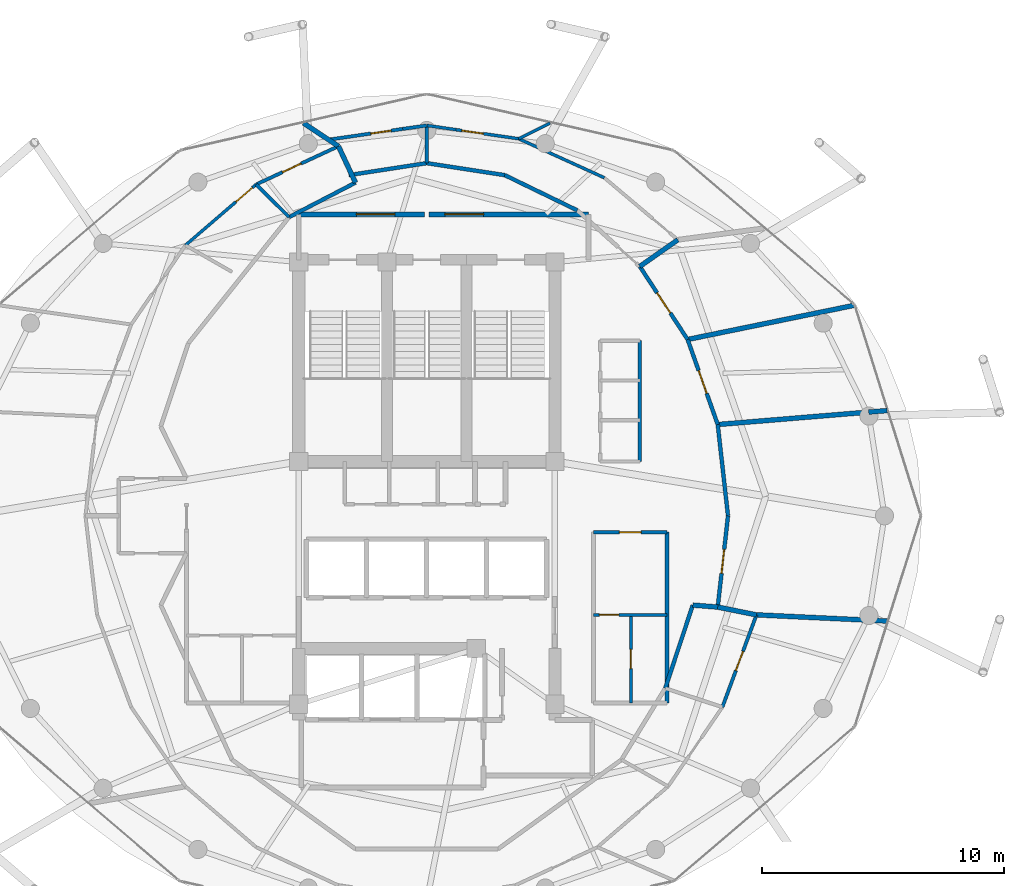
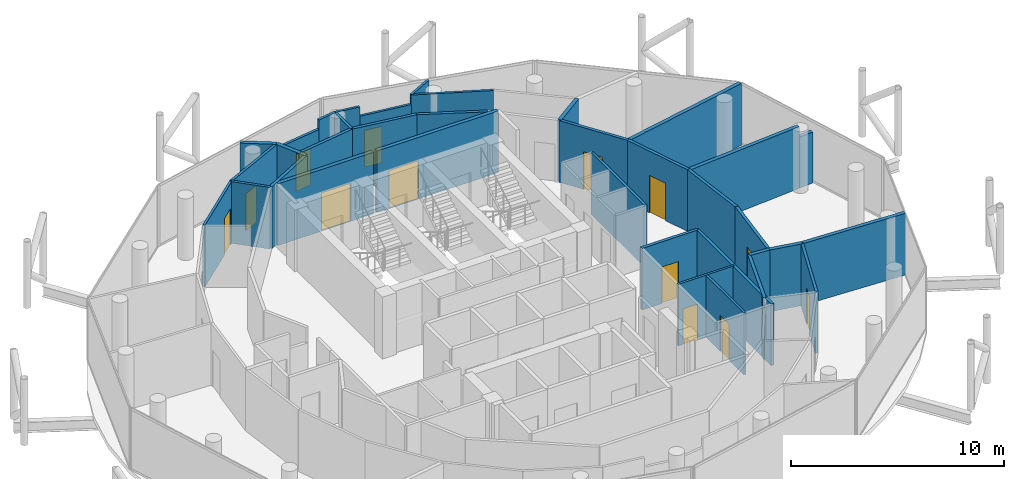
# One storey, part 22 of 24: 36 walls, 13 doors, 13 openings.
"""IFC4 building model written with IfcOpenShell, lengths in metres."""

from ifc_helpers import new_model, si_unit, direction, frame, frame_2d, origin, place, context, subcontext, project, spatial, rectangle, extrude, material, layer, layer_set, type_object, element, fill, save


model = new_model("IFC4")

# Units and contexts
model_context = context("Model", 3, precision=1e-05, world=origin(), true_north=direction((0.0, 1.0)))
body_context = subcontext(model_context, "Body", "Model", "MODEL_VIEW")
ifc_project = project(units=[si_unit("LENGTHUNIT", "METRE"), si_unit("AREAUNIT", "SQUARE_METRE"), si_unit("VOLUMEUNIT", "CUBIC_METRE"), si_unit("PLANEANGLEUNIT", "RADIAN"), si_unit("MASSUNIT", "GRAM", prefix="KILO")], contexts=[model_context])

# Site, building, storey
site_placement = place(None, origin())
site = spatial("IfcSite", under=ifc_project, at=site_placement, CompositionType="ELEMENT")
building_placement = place(site_placement, origin())
building = spatial("IfcBuilding", under=site, at=building_placement, Name="Nuhasar Tower", CompositionType="ELEMENT")
storey_placement = place(building_placement, frame((0.0, 0.0, 263.199951171875)))
storey = spatial("IfcBuildingStorey", under=building, at=storey_placement, Name="L65", CompositionType="ELEMENT", Elevation=263.199951171875)

# Wall
ifc_material_1 = material(Name="Gypsum Board", Category="gypsum")
ifc_layer_1 = layer(ifc_material_1, 0.159912109375)
ifc_layer_set_1 = layer_set([ifc_layer_1], Name="Gypsum Board")
wall_type_1 = type_object("IfcWallType", Name="WL-CORR-160", PredefinedType="PARTITIONING", material=ifc_layer_set_1)
wall_1_placement = place(storey_placement, frame((48.949951171875, 19.050048828125, 0.0), z_axis=(0.0, 0.0, 1.0), x_axis=(0.0, 1.0, 0.0)))
element("IfcWall", 1, at=wall_1_placement, inside=storey, type_object=wall_type_1, Name="L65 Interior Partition RECL-B2-E", PredefinedType="PARTITIONING", context=body_context, shape_type="SweptSolid", body=[
    extrude(rectangle(XDim=7.070068359375, YDim=0.159912109375, at=frame_2d((3.53515625, 0.0))), origin(), (0.0, 0.0, 1.0), 3.5400390625),
])

# Wall, opening, door
wall_2_placement = place(storey_placement, frame((48.949951171875, 26.1201171875, 0.0), z_axis=(0.0, 0.0, 1.0), x_axis=(-1.0, 0.0, 0.0)))
wall_2 = element("IfcWall", 2, at=wall_2_placement, inside=storey, type_object=wall_type_1, Name="L65 Interior Partition RECL-B2-N", PredefinedType="PARTITIONING", context=body_context, shape_type="SweptSolid", body=[
    extrude(rectangle(XDim=3.050048828125, YDim=0.159912109375, at=frame_2d((1.52490234375, 0.0))), origin(), (0.0, 0.0, 1.0), 3.5400390625),
])
opening_1_placement = place(wall_2_placement, frame((1.074951171875, 0.0, 0.0)))
opening_1 = element("IfcOpeningElement", 3, at=opening_1_placement, cuts=wall_2, Name="Opening DR-01", PredefinedType="OPENING", context=body_context, shape_type="SweptSolid", body=[
    extrude(rectangle(XDim=0.89990234375, YDim=2.10009765625, at=frame_2d((0.449951171875, 1.050048828125))), frame((0.0, 0.08984375, 0.0), z_axis=(0.0, -1.0, 0.0), x_axis=(1.0, 0.0, 0.0)), (0.0, 0.0, 1.0), 0.179931640625),
])
ifc_material_2 = material(Name="Timber Oak", Category="wood")
door_type_1 = type_object("IfcDoorType", Name="DR-ROOM-900", OperationType="NOTDEFINED", PredefinedType="DOOR", material=ifc_material_2)
door_1_placement = place(opening_1_placement, origin())
door_1 = element("IfcDoor", 4, at=door_1_placement, inside=storey, type_object=door_type_1, Name="L65 Telemetry Closet Door", OperationType="SINGLE_SWING_LEFT", OverallHeight=2.10009765625, OverallWidth=0.89990234375, PredefinedType="DOOR", context=body_context, shape_type="SweptSolid", body=[
    extrude(rectangle(XDim=0.89990234375, YDim=2.10009765625, at=frame_2d((0.449951171875, 1.050048828125))), frame((0.0, 0.02490234375, 0.0), z_axis=(0.0, -1.0, 0.0), x_axis=(1.0, 0.0, 0.0)), (0.0, 0.0, 1.0), 0.050048828125),
])
fill(opening_1, door_1)

wall_3_placement = place(storey_placement, frame((51.469970703125, 26.800048828125, 0.0), z_axis=(0.0, 0.0, 1.0), x_axis=(-0.111770206893, -0.993734079546, 0.0)))
wall_3 = element("IfcWall", 5, at=wall_3_placement, inside=storey, type_object=wall_type_1, Name="L65 Interior Partition CORR-46", PredefinedType="PARTITIONING", context=body_context, shape_type="SweptSolid", body=[
    extrude(rectangle(XDim=3.802978515625, YDim=0.159912109375, at=frame_2d((1.9013671875, 0.0))), origin(), (0.0, 0.0, 1.0), 3.5400390625),
])
opening_2_placement = place(wall_3_placement, frame((1.40087890625, 0.0, 0.0)))
opening_2 = element("IfcOpeningElement", 6, at=opening_2_placement, cuts=wall_3, Name="Opening DU-02", PredefinedType="OPENING", context=body_context, shape_type="SweptSolid", body=[
    extrude(rectangle(XDim=1.0, YDim=2.14990234375, at=frame_2d((0.5, 1.074951171875))), frame((0.0, 0.08984375, 0.0), z_axis=(0.0, -1.0, 0.0), x_axis=(1.0, 0.0, 0.0)), (0.0, 0.0, 1.0), 0.179931640625),
])
door_type_2 = type_object("IfcDoorType", Name="DR-FLAT-FD60-1000", OperationType="NOTDEFINED", PredefinedType="DOOR", material=ifc_material_2)
door_2_placement = place(opening_2_placement, origin())
door_2 = element("IfcDoor", 7, at=door_2_placement, inside=storey, type_object=door_type_2, Name="L65 Crown Art Gallery Boutique 1 Entrance Door", OperationType="SINGLE_SWING_RIGHT", OverallHeight=2.14990234375, OverallWidth=1.0, PredefinedType="DOOR", context=body_context, shape_type="SweptSolid", body=[
    extrude(rectangle(XDim=1.0, YDim=2.14990234375, at=frame_2d((0.5, 1.074951171875))), frame((0.0, 0.02490234375, 0.0), z_axis=(0.0, -1.0, 0.0), x_axis=(1.0, 0.0, 0.0)), (0.0, 0.0, 1.0), 0.050048828125),
])
fill(opening_2, door_2)

# Wall
wall_4_placement = place(storey_placement, frame((51.469970703125, 26.800048828125, 0.0), z_axis=(0.0, 0.0, 1.0), x_axis=(-0.111770206893, 0.993734079546, 0.0)))
element("IfcWall", 8, at=wall_4_placement, inside=storey, type_object=wall_type_1, Name="L65 Interior Partition CORR-00", PredefinedType="PARTITIONING", context=body_context, shape_type="SweptSolid", body=[
    extrude(rectangle(XDim=3.802978515625, YDim=0.159912109375, at=frame_2d((1.9013671875, 0.0))), origin(), (0.0, 0.0, 1.0), 3.5400390625),
])

# Wall, opening, door
wall_5_placement = place(storey_placement, frame((49.799072265625, 34.10009765625, 0.0), z_axis=(0.0, 0.0, 1.0), x_axis=(0.333568819216, -0.942725751662, 0.0)))
wall_5 = element("IfcWall", 9, at=wall_5_placement, inside=storey, type_object=wall_type_1, Name="L65 Interior Partition CORR-02", PredefinedType="PARTITIONING", context=body_context, shape_type="SweptSolid", body=[
    extrude(rectangle(XDim=3.73486328125, YDim=0.159912109375, at=frame_2d((1.867431640625, 0.0))), origin(), (0.0, 0.0, 1.0), 3.5400390625),
])
opening_3_placement = place(wall_5_placement, frame((1.366943359375, 0.0, 0.0)))
opening_3 = element("IfcOpeningElement", 10, at=opening_3_placement, cuts=wall_5, Name="Opening DU-02", PredefinedType="OPENING", context=body_context, shape_type="SweptSolid", body=[
    extrude(rectangle(XDim=1.0, YDim=2.14990234375, at=frame_2d((0.5, 1.074951171875))), frame((0.0, 0.08984375, 0.0), z_axis=(0.0, -1.0, 0.0), x_axis=(1.0, 0.0, 0.0)), (0.0, 0.0, 1.0), 0.179931640625),
])
door_3_placement = place(opening_3_placement, origin())
door_3 = element("IfcDoor", 11, at=door_3_placement, inside=storey, type_object=door_type_2, Name="L65 Collector Wine Vault Store Entrance Door", OperationType="SINGLE_SWING_RIGHT", OverallHeight=2.14990234375, OverallWidth=1.0, PredefinedType="DOOR", context=body_context, shape_type="SweptSolid", body=[
    extrude(rectangle(XDim=1.0, YDim=2.14990234375, at=frame_2d((0.5, 1.074951171875))), frame((0.0, 0.02490234375, 0.0), z_axis=(0.0, -1.0, 0.0), x_axis=(1.0, 0.0, 0.0)), (0.0, 0.0, 1.0), 0.050048828125),
])
fill(opening_3, door_3)

wall_6_placement = place(storey_placement, frame((47.818115234375, 37.1240234375, 0.0), z_axis=(0.0, 0.0, 1.0), x_axis=(0.547980633713, -0.836491019124, 0.0)))
wall_6 = element("IfcWall", 12, at=wall_6_placement, inside=storey, type_object=wall_type_1, Name="L65 Interior Partition CORR-04", PredefinedType="PARTITIONING", context=body_context, shape_type="SweptSolid", body=[
    extrude(rectangle(XDim=3.614990234375, YDim=0.159912109375, at=frame_2d((1.8076171875, 0.0))), origin(), (0.0, 0.0, 1.0), 3.5400390625),
])
opening_4_placement = place(wall_6_placement, frame((1.30810546875, 0.0, 0.0)))
opening_4 = element("IfcOpeningElement", 13, at=opening_4_placement, cuts=wall_6, Name="Opening DU-02", PredefinedType="OPENING", context=body_context, shape_type="SweptSolid", body=[
    extrude(rectangle(XDim=1.0, YDim=2.14990234375, at=frame_2d((0.5, 1.074951171875))), frame((0.0, 0.08984375, 0.0), z_axis=(0.0, -1.0, 0.0), x_axis=(1.0, 0.0, 0.0)), (0.0, 0.0, 1.0), 0.179931640625),
])
door_4_placement = place(opening_4_placement, origin())
door_4 = element("IfcDoor", 14, at=door_4_placement, inside=storey, type_object=door_type_2, Name="L65 Crown Sculpture Showroom 2 Entrance Door", OperationType="SINGLE_SWING_LEFT", OverallHeight=2.14990234375, OverallWidth=1.0, PredefinedType="DOOR", context=body_context, shape_type="SweptSolid", body=[
    extrude(rectangle(XDim=1.0, YDim=2.14990234375, at=frame_2d((0.5, 1.074951171875))), frame((0.0, 0.02490234375, 0.0), z_axis=(0.0, -1.0, 0.0), x_axis=(1.0, 0.0, 0.0)), (0.0, 0.0, 1.0), 0.050048828125),
])
fill(opening_4, door_4)

# Walls
wall_7_placement = place(storey_placement, frame((45.235107421875, 39.444091796875, 0.0), z_axis=(0.0, 0.0, 1.0), x_axis=(-0.899751550897, 0.436402505329, 0.0)))
element("IfcWall", 15, at=wall_7_placement, inside=storey, type_object=wall_type_1, Name="L65 Interior Partition CORR-08", PredefinedType="PARTITIONING", context=body_context, shape_type="SweptSolid", body=[
    extrude(rectangle(XDim=3.34326171875, YDim=0.159912109375, at=frame_2d((1.671630859375, 0.0))), origin(), (0.0, 0.0, 1.0), 3.5400390625),
])
for number, where, z_axis, x_axis, name in (
    (16, (42.22705078125, 40.903076171875, 0.0), (0.0, 0.0, 1.0), (-0.988355267662, 0.152163940815, 0.0), "L65 Interior Partition CORR-10"),
    (17, (39.0, 41.39990234375, 0.0), (0.0, 0.0, 1.0), (-0.988355267662, -0.152163940815, 0.0), "L65 Interior Partition CORR-12"),
):
    element("IfcWall", number, at=place(storey_placement, frame(where, z_axis=z_axis, x_axis=x_axis)), inside=storey, type_object=wall_type_1, Name=name, PredefinedType="PARTITIONING", context=body_context, shape_type="SweptSolid", body=[
        extrude(rectangle(XDim=3.26513671875, YDim=0.159912109375, at=frame_2d((1.632568359375, 0.0))), origin(), (0.0, 0.0, 1.0), 3.5400390625),
    ])
wall_8_placement = place(storey_placement, frame((36.049072265625, 40.593017578125, 0.0), z_axis=(0.0, 0.0, 1.0), x_axis=(-0.887674575788, -0.460471331898, 0.0)))
element("IfcWall", 18, at=wall_8_placement, inside=storey, type_object=wall_type_1, Name="L65 Interior Partition UWEST-CORE-N1-14", PredefinedType="PARTITIONING", context=body_context, shape_type="SweptSolid", body=[
    extrude(rectangle(XDim=3.096923828125, YDim=0.159912109375, at=frame_2d((1.54833984375, 0.0))), origin(), (0.0, 0.0, 1.0), 3.5400390625),
])
wall_9_placement = place(storey_placement, frame((48.873046875, 19.659912109375, 0.0), z_axis=(0.0, 0.0, 1.0), x_axis=(0.313965508334, 0.949434389295, 0.0)))
element("IfcWall", 19, at=wall_9_placement, inside=storey, type_object=wall_type_1, Name="L65 Interior Partition UWEST-CORE-S2-44", PredefinedType="PARTITIONING", context=body_context, shape_type="SweptSolid", body=[
    extrude(rectangle(XDim=3.62744140625, YDim=0.159912109375, at=frame_2d((1.813720703125, 0.0))), origin(), (0.0, 0.0, 1.0), 3.5400390625),
])

# Wall, opening, door
ifc_material_3 = material(Name="Concrete C45/55", Category="concrete")
ifc_layer_2 = layer(ifc_material_3, 0.199951171875)
ifc_layer_set_2 = layer_set([ifc_layer_2], Name="Concrete C45/55")
wall_type_2 = type_object("IfcWallType", Name="WL-LOBBY-200", PredefinedType="SOLIDWALL", material=ifc_layer_set_2)
wall_10_placement = place(storey_placement, frame((38.89990234375, 39.280029296875, 0.0), z_axis=(0.0, 0.0, 1.0), x_axis=(-1.0, 0.0, 0.0)))
wall_10 = element("IfcWall", 20, at=wall_10_placement, inside=storey, type_object=wall_type_2, Name="L65 Interior Partition NSL-N1", PredefinedType="SOLIDWALL", context=body_context, shape_type="SweptSolid", body=[
    extrude(rectangle(XDim=5.199951171875, YDim=0.199951171875, at=frame_2d((2.60009765625, 0.0))), origin(), (0.0, 0.0, 1.0), 3.5400390625),
])
opening_5_placement = place(wall_10_placement, frame((1.216064453125, 0.0, 0.0)))
opening_5 = element("IfcOpeningElement", 21, at=opening_5_placement, cuts=wall_10, Name="Opening DC-01", PredefinedType="OPENING", context=body_context, shape_type="SweptSolid", body=[
    extrude(rectangle(XDim=1.60009765625, YDim=2.199951171875, at=frame_2d((0.800048828125, 1.10009765625))), frame((0.0, 0.10986328125, 0.0), z_axis=(0.0, -1.0, 0.0), x_axis=(1.0, 0.0, 0.0)), (0.0, 0.0, 1.0), 0.219970703125),
])
ifc_material_4 = material(Name="Steel S355", Category="steel")
door_type_3 = type_object("IfcDoorType", Name="DR-CORR-FD60-1600", OperationType="DOUBLE_DOOR_SINGLE_SWING", PredefinedType="DOOR", material=ifc_material_4)
door_5_placement = place(opening_5_placement, origin())
door_5 = element("IfcDoor", 22, at=door_5_placement, inside=storey, type_object=door_type_3, Name="L65 North Stair Lobby West Door", OperationType="DOUBLE_DOOR_SINGLE_SWING", OverallHeight=2.199951171875, OverallWidth=1.60009765625, PredefinedType="DOOR", context=body_context, shape_type="SweptSolid", body=[
    extrude(rectangle(XDim=1.60009765625, YDim=2.199951171875, at=frame_2d((0.800048828125, 1.10009765625))), frame((0.0, 0.02490234375, 0.0), z_axis=(0.0, -1.0, 0.0), x_axis=(1.0, 0.0, 0.0)), (0.0, 0.0, 1.0), 0.050048828125),
])
fill(opening_5, door_5)

wall_11_placement = place(storey_placement, frame((45.699951171875, 39.280029296875, 0.0), z_axis=(0.0, 0.0, 1.0), x_axis=(-1.0, 0.0, 0.0)))
wall_11 = element("IfcWall", 23, at=wall_11_placement, inside=storey, type_object=wall_type_2, Name="L65 Interior Partition NSL-N2", PredefinedType="SOLIDWALL", context=body_context, shape_type="SweptSolid", body=[
    extrude(rectangle(XDim=6.599853515625, YDim=0.199951171875, at=frame_2d((3.2998046875, 0.0))), origin(), (0.0, 0.0, 1.0), 3.5400390625),
])
opening_6_placement = place(wall_11_placement, frame((4.35009765625, 0.0, 0.0)))
opening_6 = element("IfcOpeningElement", 24, at=opening_6_placement, cuts=wall_11, Name="Opening DC-01", PredefinedType="OPENING", context=body_context, shape_type="SweptSolid", body=[
    extrude(rectangle(XDim=1.60009765625, YDim=2.199951171875, at=frame_2d((0.800048828125, 1.10009765625))), frame((0.0, 0.10986328125, 0.0), z_axis=(0.0, -1.0, 0.0), x_axis=(1.0, 0.0, 0.0)), (0.0, 0.0, 1.0), 0.219970703125),
])
door_6_placement = place(opening_6_placement, origin())
door_6 = element("IfcDoor", 25, at=door_6_placement, inside=storey, type_object=door_type_3, Name="L65 North Stair Lobby East Door", OperationType="DOUBLE_DOOR_SINGLE_SWING", OverallHeight=2.199951171875, OverallWidth=1.60009765625, PredefinedType="DOOR", context=body_context, shape_type="SweptSolid", body=[
    extrude(rectangle(XDim=1.60009765625, YDim=2.199951171875, at=frame_2d((0.800048828125, 1.10009765625))), frame((0.0, 0.02490234375, 0.0), z_axis=(0.0, -1.0, 0.0), x_axis=(1.0, 0.0, 0.0)), (0.0, 0.0, 1.0), 0.050048828125),
])
fill(opening_6, door_6)

ifc_layer_3 = layer(ifc_material_1, 0.125)
ifc_layer_set_3 = layer_set([ifc_layer_3], Name="Gypsum Board")
wall_type_3 = type_object("IfcWallType", Name="WL-PART-125", PredefinedType="PARTITIONING", material=ifc_layer_set_3)
wall_12_placement = place(storey_placement, frame((47.449951171875, 22.699951171875, 0.0), z_axis=(0.0, 0.0, 1.0), x_axis=(0.0, -1.0, 0.0)))
wall_12 = element("IfcWall", 26, at=wall_12_placement, inside=storey, type_object=wall_type_3, Name="L65 Interior Partition RECL-B2-V", PredefinedType="PARTITIONING", context=body_context, shape_type="SweptSolid", body=[
    extrude(rectangle(XDim=3.64990234375, YDim=0.125, at=frame_2d((1.824951171875, 0.0))), origin(), (0.0, 0.0, 1.0), 3.5400390625),
])
opening_7_placement = place(wall_12_placement, frame((1.425048828125, 0.0, 0.0)))
opening_7 = element("IfcOpeningElement", 27, at=opening_7_placement, cuts=wall_12, Name="Opening DM-01", PredefinedType="OPENING", context=body_context, shape_type="SweptSolid", body=[
    extrude(rectangle(XDim=0.800048828125, YDim=2.050048828125, at=frame_2d((0.39990234375, 1.02490234375))), frame((0.0, 0.072509765625, 0.0), z_axis=(0.0, -1.0, 0.0), x_axis=(1.0, 0.0, 0.0)), (0.0, 0.0, 1.0), 0.14501953125),
])
door_type_4 = type_object("IfcDoorType", Name="DR-RISER-FD60-800", OperationType="NOTDEFINED", PredefinedType="DOOR", material=ifc_material_4)
door_7_placement = place(opening_7_placement, origin())
door_7 = element("IfcDoor", 28, at=door_7_placement, inside=storey, type_object=door_type_4, Name="L65 Archive Closet Door", OperationType="SINGLE_SWING_LEFT", OverallHeight=2.050048828125, OverallWidth=0.800048828125, PredefinedType="DOOR", context=body_context, shape_type="SweptSolid", body=[
    extrude(rectangle(XDim=0.800048828125, YDim=2.050048828125, at=frame_2d((0.39990234375, 1.02490234375))), frame((0.0, 0.02490234375, 0.0), z_axis=(0.0, -1.0, 0.0), x_axis=(1.0, 0.0, 0.0)), (0.0, 0.0, 1.0), 0.050048828125),
])
fill(opening_7, door_7)

wall_13_placement = place(storey_placement, frame((48.949951171875, 22.699951171875, 0.0), z_axis=(0.0, 0.0, 1.0), x_axis=(-1.0, 0.0, 0.0)))
wall_13 = element("IfcWall", 29, at=wall_13_placement, inside=storey, type_object=wall_type_3, Name="L65 Interior Partition RECL-B2-M", PredefinedType="PARTITIONING", context=body_context, shape_type="SweptSolid", body=[
    extrude(rectangle(XDim=3.050048828125, YDim=0.125, at=frame_2d((1.52490234375, 0.0))), origin(), (0.0, 0.0, 1.0), 3.5400390625),
])
opening_8_placement = place(wall_13_placement, frame((2.0, 0.0, 0.0)))
opening_8 = element("IfcOpeningElement", 30, at=opening_8_placement, cuts=wall_13, Name="Opening DM-01", PredefinedType="OPENING", context=body_context, shape_type="SweptSolid", body=[
    extrude(rectangle(XDim=0.800048828125, YDim=2.050048828125, at=frame_2d((0.39990234375, 1.02490234375))), frame((0.0, 0.072509765625, 0.0), z_axis=(0.0, -1.0, 0.0), x_axis=(1.0, 0.0, 0.0)), (0.0, 0.0, 1.0), 0.14501953125),
])
door_8_placement = place(opening_8_placement, origin())
door_8 = element("IfcDoor", 31, at=door_8_placement, inside=storey, type_object=door_type_4, Name="L65 Trunk Store Door", OperationType="SINGLE_SWING_RIGHT", OverallHeight=2.050048828125, OverallWidth=0.800048828125, PredefinedType="DOOR", context=body_context, shape_type="SweptSolid", body=[
    extrude(rectangle(XDim=0.800048828125, YDim=2.050048828125, at=frame_2d((0.39990234375, 1.02490234375))), frame((0.0, 0.02490234375, 0.0), z_axis=(0.0, -1.0, 0.0), x_axis=(1.0, 0.0, 0.0)), (0.0, 0.0, 1.0), 0.050048828125),
])
fill(opening_8, door_8)

# Walls
wall_14_placement = place(storey_placement, frame((46.35009765625, 40.794921875, 0.0), z_axis=(0.0, 0.0, 1.0), x_axis=(-0.910117326054, 0.414350639938, 0.0)))
element("IfcWall", 32, at=wall_14_placement, inside=storey, type_object=wall_type_3, Name="L65 Interior Partition UMID-04-A-08", PredefinedType="PARTITIONING", context=body_context, shape_type="SweptSolid", body=[
    extrude(rectangle(XDim=3.895263671875, YDim=0.125, at=frame_2d((1.94775390625, 0.0))), origin(), (0.0, 0.0, 1.0), 3.5400390625),
])
wall_15_placement = place(storey_placement, frame((39.0, 42.9599609375, 0.0), z_axis=(0.0, 0.0, 1.0), x_axis=(0.989701809114, -0.143144434177, 0.0)))
element("IfcWall", 33, at=wall_15_placement, inside=storey, type_object=wall_type_3, Name="L65 Interior Partition UMID-04-A-10", PredefinedType="PARTITIONING", context=body_context, shape_type="SweptSolid", body=[
    extrude(rectangle(XDim=1.229736328125, YDim=0.125, at=frame_2d((0.61474609375, 0.0))), origin(), (0.0, 0.0, 1.0), 3.5400390625),
])

# Wall, opening, door
wall_16_placement = place(storey_placement, frame((40.217041015625, 42.783935546875, 0.0), z_axis=(0.0, 0.0, 1.0), x_axis=(0.989663671869, -0.143407867924, 0.0)))
wall_16 = element("IfcWall", 34, at=wall_16_placement, inside=storey, type_object=wall_type_3, Name="L65 Interior Partition UMID-04-A-10", PredefinedType="PARTITIONING", context=body_context, shape_type="SweptSolid", body=[
    extrude(rectangle(XDim=2.614990234375, YDim=0.125, at=frame_2d((1.3076171875, 0.0))), origin(), (0.0, 0.0, 1.0), 3.0),
])
opening_9_placement = place(wall_16_placement, frame((0.241943359375, 0.0, 0.0)))
opening_9 = element("IfcOpeningElement", 35, at=opening_9_placement, cuts=wall_16, Name="Opening DR-01", PredefinedType="OPENING", context=body_context, shape_type="SweptSolid", body=[
    extrude(rectangle(XDim=0.89990234375, YDim=2.10009765625, at=frame_2d((0.449951171875, 1.050048828125))), frame((0.0, 0.072509765625, 0.0), z_axis=(0.0, -1.0, 0.0), x_axis=(1.0, 0.0, 0.0)), (0.0, 0.0, 1.0), 0.14501953125),
])
door_9_placement = place(opening_9_placement, origin())
door_9 = element("IfcDoor", 36, at=door_9_placement, inside=storey, type_object=door_type_1, Name="L65 U04 Bedroom Door", OperationType="SINGLE_SWING_LEFT", OverallHeight=2.10009765625, OverallWidth=0.89990234375, PredefinedType="DOOR", context=body_context, shape_type="SweptSolid", body=[
    extrude(rectangle(XDim=0.89990234375, YDim=2.10009765625, at=frame_2d((0.449951171875, 1.050048828125))), frame((0.0, 0.02490234375, 0.0), z_axis=(0.0, -1.0, 0.0), x_axis=(1.0, 0.0, 0.0)), (0.0, 0.0, 1.0), 0.050048828125),
])
fill(opening_9, door_9)

# Wall
wall_17_placement = place(storey_placement, frame((42.804931640625, 42.408935546875, 0.0), z_axis=(0.0, 0.0, 1.0), x_axis=(0.894796289478, 0.446474635714, 0.0)))
element("IfcWall", 37, at=wall_17_placement, inside=storey, type_object=wall_type_3, Name="L65 Interior Partition UOUT-04-B1", PredefinedType="PARTITIONING", context=body_context, shape_type="SweptSolid", body=[
    extrude(rectangle(XDim=1.4541015625, YDim=0.125, at=frame_2d((0.72705078125, 0.0))), origin(), (0.0, 0.0, 1.0), 3.5400390625),
])

# Wall, opening, door
wall_18_placement = place(storey_placement, frame((29.009033203125, 38.0009765625, 0.0), z_axis=(0.0, 0.0, 1.0), x_axis=(0.758094504626, 0.652144709444, 0.0)))
wall_18 = element("IfcWall", 38, at=wall_18_placement, inside=storey, type_object=wall_type_3, Name="L65 Interior Partition USM-1-K-16", PredefinedType="PARTITIONING", context=body_context, shape_type="SweptSolid", body=[
    extrude(rectangle(XDim=3.859619140625, YDim=0.125, at=frame_2d((1.9296875, 0.0))), origin(), (0.0, 0.0, 1.0), 3.5400390625),
])
opening_10_placement = place(wall_18_placement, frame((2.760009765625, 0.0, 0.0)))
opening_10 = element("IfcOpeningElement", 39, at=opening_10_placement, cuts=wall_18, Name="Opening DR-01", PredefinedType="OPENING", context=body_context, shape_type="SweptSolid", body=[
    extrude(rectangle(XDim=0.89990234375, YDim=2.10009765625, at=frame_2d((0.449951171875, 1.050048828125))), frame((0.0, 0.072509765625, 0.0), z_axis=(0.0, -1.0, 0.0), x_axis=(1.0, 0.0, 0.0)), (0.0, 0.0, 1.0), 0.14501953125),
])
door_10_placement = place(opening_10_placement, origin())
door_10 = element("IfcDoor", 40, at=door_10_placement, inside=storey, type_object=door_type_1, Name="L65 North-West Sky Home Kitchen Door", OperationType="SINGLE_SWING_RIGHT", OverallHeight=2.10009765625, OverallWidth=0.89990234375, PredefinedType="DOOR", context=body_context, shape_type="SweptSolid", body=[
    extrude(rectangle(XDim=0.89990234375, YDim=2.10009765625, at=frame_2d((0.449951171875, 1.050048828125))), frame((0.0, 0.02490234375, 0.0), z_axis=(0.0, -1.0, 0.0), x_axis=(1.0, 0.0, 0.0)), (0.0, 0.0, 1.0), 0.050048828125),
])
fill(opening_10, door_10)

# Walls
ifc_material_5 = material(Name="Concrete C40/50 precast", Category="concrete")
ifc_layer_4 = layer(ifc_material_5, 0.199951171875)
ifc_layer_set_4 = layer_set([ifc_layer_4], Name="Concrete C40/50 precast")
wall_type_4 = type_object("IfcWallType", Name="WL-UNIT-200", PredefinedType="PARTITIONING", material=ifc_layer_set_4)
wall_19_placement = place(storey_placement, frame((36.049072265625, 40.593017578125, 0.0), z_axis=(0.0, 0.0, 1.0), x_axis=(-0.424242188274, 0.905548764942, 0.0)))
element("IfcWall", 41, at=wall_19_placement, inside=storey, type_object=wall_type_4, Name="L65 Interior Partition URAD-14-NW-S1", PredefinedType="PARTITIONING", context=body_context, shape_type="SweptSolid", body=[
    extrude(rectangle(XDim=1.664306640625, YDim=0.199951171875, at=frame_2d((0.83203125, 0.0))), origin(), (0.0, 0.0, 1.0), 3.5400390625),
])
wall_20_placement = place(storey_placement, frame((35.343017578125, 42.10009765625, 0.0), z_axis=(0.0, 0.0, 1.0), x_axis=(-0.834163281992, 0.551517559989, 0.0)))
element("IfcWall", 42, at=wall_20_placement, inside=storey, type_object=wall_type_4, Name="L65 Interior Partition URAD-14-NW-S2", PredefinedType="PARTITIONING", context=body_context, shape_type="SweptSolid", body=[
    extrude(rectangle(XDim=1.737060546875, YDim=0.199951171875, at=frame_2d((0.86865234375, 0.0))), origin(), (0.0, 0.0, 1.0), 3.5400390625),
])
wall_21_placement = place(storey_placement, frame((50.011962890625, 23.10400390625, 0.0), z_axis=(0.0, 0.0, 1.0), x_axis=(0.996786749309, -0.080101038706, 0.0)))
element("IfcWall", 43, at=wall_21_placement, inside=storey, type_object=wall_type_4, Name="L65 Interior Partition URAD-46-SW-S1", PredefinedType="PARTITIONING", context=body_context, shape_type="SweptSolid", body=[
    extrude(rectangle(XDim=1.036376953125, YDim=0.199951171875, at=frame_2d((0.51806640625, 0.0))), origin(), (0.0, 0.0, 1.0), 3.5400390625),
])
wall_22_placement = place(storey_placement, frame((51.044921875, 23.02099609375, 0.0), z_axis=(0.0, 0.0, 1.0), x_axis=(0.980551963868, -0.196259639648, 0.0)))
element("IfcWall", 44, at=wall_22_placement, inside=storey, type_object=wall_type_4, Name="L65 Interior Partition URAD-46-SW-S2", PredefinedType="PARTITIONING", context=body_context, shape_type="SweptSolid", body=[
    extrude(rectangle(XDim=1.6357421875, YDim=0.199951171875, at=frame_2d((0.81787109375, 0.0))), origin(), (0.0, 0.0, 1.0), 3.5400390625),
])
wall_23_placement = place(storey_placement, frame((52.64892578125, 22.699951171875, 0.0), z_axis=(0.0, 0.0, 1.0), x_axis=(0.998882680054, -0.047258771554, 0.0)))
element("IfcWall", 45, at=wall_23_placement, inside=storey, type_object=wall_type_4, Name="L65 Interior Partition URAD-46-SW-S3", PredefinedType="PARTITIONING", context=body_context, shape_type="SweptSolid", body=[
    extrude(rectangle(XDim=5.4140625, YDim=0.199951171875, at=frame_2d((2.70703125, 0.0))), origin(), (0.0, 0.0, 1.0), 3.5400390625),
])
wall_24_placement = place(storey_placement, frame((51.044921875, 30.5791015625, 0.0), z_axis=(0.0, 0.0, 1.0), x_axis=(0.996622662383, 0.082117408774, 0.0)))
element("IfcWall", 46, at=wall_24_placement, inside=storey, type_object=wall_type_4, Name="L65 Interior Partition URAD-02", PredefinedType="PARTITIONING", context=body_context, shape_type="SweptSolid", body=[
    extrude(rectangle(XDim=6.270263671875, YDim=0.199951171875, at=frame_2d((3.13525390625, 0.0))), origin(), (0.0, 0.0, 1.0), 3.5400390625),
])
wall_25_placement = place(storey_placement, frame((57.2939453125, 31.093994140625, 0.0), z_axis=(0.0, 0.0, 1.0), x_axis=(0.996609247306, 0.082280059458, 0.0)))
element("IfcWall", 47, at=wall_25_placement, inside=storey, type_object=wall_type_4, Name="L65 Interior Partition URAD-02", PredefinedType="PARTITIONING", context=body_context, shape_type="SweptSolid", body=[
    extrude(rectangle(XDim=0.765625, YDim=0.199951171875, at=frame_2d((0.3828125, 0.0))), origin(), (0.0, 0.0, 1.0), 2.925048828125),
])
wall_26_placement = place(storey_placement, frame((49.799072265625, 34.10009765625, 0.0), z_axis=(0.0, 0.0, 1.0), x_axis=(0.97961583885, 0.200880084314, 0.0)))
element("IfcWall", 48, at=wall_26_placement, inside=storey, type_object=wall_type_4, Name="L65 Interior Partition URAD-04", PredefinedType="PARTITIONING", context=body_context, shape_type="SweptSolid", body=[
    extrude(rectangle(XDim=7.033203125, YDim=0.199951171875, at=frame_2d((3.5166015625, 0.0))), origin(), (0.0, 0.0, 1.0), 3.5400390625),
])
wall_27_placement = place(storey_placement, frame((47.818115234375, 37.1240234375, 0.0), z_axis=(0.0, 0.0, 1.0), x_axis=(0.819261732585, 0.573419753341, 0.0)))
element("IfcWall", 49, at=wall_27_placement, inside=storey, type_object=wall_type_4, Name="L65 Interior Partition URAD-06-S1", PredefinedType="PARTITIONING", context=body_context, shape_type="SweptSolid", body=[
    extrude(rectangle(XDim=1.923583984375, YDim=0.199951171875, at=frame_2d((0.9619140625, 0.0))), origin(), (0.0, 0.0, 1.0), 3.5400390625),
])
ifc_layer_5 = layer(ifc_material_5, 0.139892578125)
ifc_layer_set_5 = layer_set([ifc_layer_5], Name="Concrete C40/50 precast")
wall_type_5 = type_object("IfcWallType", Name="WL-WET-140", PredefinedType="PARTITIONING", material=ifc_layer_set_5)
wall_28_placement = place(storey_placement, frame((47.820068359375, 29.050048828125, 0.0), z_axis=(0.0, 0.0, 1.0), x_axis=(0.0, 1.0, 0.0)))
element("IfcWall", 50, at=wall_28_placement, inside=storey, type_object=wall_type_5, Name="L65 Interior Partition K1-NE-E", PredefinedType="PARTITIONING", context=body_context, shape_type="SweptSolid", body=[
    extrude(rectangle(XDim=5.0, YDim=0.139892578125, at=frame_2d((2.5, 0.0))), origin(), (0.0, 0.0, 1.0), 3.5400390625),
])

# Wall, opening, door
wall_29_placement = place(storey_placement, frame((34.93310546875, 42.37109375, 0.0), z_axis=(0.0, 0.0, 1.0), x_axis=(0.98967063222, 0.143359826038, 0.0)))
wall_29 = element("IfcWall", 51, at=wall_29_placement, inside=storey, type_object=wall_type_5, Name="L65 Interior Partition UMID-04-B-12", PredefinedType="PARTITIONING", context=body_context, shape_type="SweptSolid", body=[
    extrude(rectangle(XDim=3.102783203125, YDim=0.139892578125, at=frame_2d((1.55126953125, 0.0))), origin(), (0.0, 0.0, 1.0), 3.0),
])
opening_11_placement = place(wall_29_placement, frame((1.761962890625, 0.0, 0.0)))
opening_11 = element("IfcOpeningElement", 52, at=opening_11_placement, cuts=wall_29, Name="Opening DB-01", PredefinedType="OPENING", context=body_context, shape_type="SweptSolid", body=[
    extrude(rectangle(XDim=0.85009765625, YDim=2.10009765625, at=frame_2d((0.425048828125, 1.050048828125))), frame((0.0, 0.080078125, 0.0), z_axis=(0.0, -1.0, 0.0), x_axis=(1.0, 0.0, 0.0)), (0.0, 0.0, 1.0), 0.159912109375),
])
door_type_5 = type_object("IfcDoorType", Name="DR-BATH-850", OperationType="NOTDEFINED", PredefinedType="DOOR", material=ifc_material_2)
door_11_placement = place(opening_11_placement, origin())
door_11 = element("IfcDoor", 53, at=door_11_placement, inside=storey, type_object=door_type_5, Name="L65 U04 Bathroom Door", OperationType="SINGLE_SWING_RIGHT", OverallHeight=2.10009765625, OverallWidth=0.85009765625, PredefinedType="DOOR", context=body_context, shape_type="SweptSolid", body=[
    extrude(rectangle(XDim=0.85009765625, YDim=2.10009765625, at=frame_2d((0.425048828125, 1.050048828125))), frame((0.0, 0.02490234375, 0.0), z_axis=(0.0, -1.0, 0.0), x_axis=(1.0, 0.0, 0.0)), (0.0, 0.0, 1.0), 0.050048828125),
])
fill(opening_11, door_11)

# Walls
wall_30_placement = place(storey_placement, frame((38.00390625, 42.81591796875, 0.0), z_axis=(0.0, 0.0, 1.0), x_axis=(0.989705462513, 0.143119172275, 0.0)))
element("IfcWall", 54, at=wall_30_placement, inside=storey, type_object=wall_type_5, Name="L65 Interior Partition UMID-04-B-12", PredefinedType="PARTITIONING", context=body_context, shape_type="SweptSolid", body=[
    extrude(rectangle(XDim=1.00634765625, YDim=0.139892578125, at=frame_2d((0.503173828125, 0.0))), origin(), (0.0, 0.0, 1.0), 3.5400390625),
])
wall_31_placement = place(storey_placement, frame((39.0, 41.39990234375, 0.0), z_axis=(0.0, 0.0, 1.0), x_axis=(0.0, 1.0, 0.0)))
element("IfcWall", 55, at=wall_31_placement, inside=storey, type_object=wall_type_5, Name="L65 Interior Partition UIN-04-K", PredefinedType="PARTITIONING", context=body_context, shape_type="SweptSolid", body=[
    extrude(rectangle(XDim=1.56005859375, YDim=0.139892578125, at=frame_2d((0.780029296875, 0.0))), origin(), (0.0, 0.0, 1.0), 3.5400390625),
])
wall_32_placement = place(storey_placement, frame((33.300048828125, 39.1669921875, 0.0), z_axis=(0.0, 0.0, 1.0), x_axis=(-0.710720381731, 0.703474618584, 0.0)))
element("IfcWall", 56, at=wall_32_placement, inside=storey, type_object=wall_type_5, Name="L65 Interior Partition USI-1-BK", PredefinedType="PARTITIONING", context=body_context, shape_type="SweptSolid", body=[
    extrude(rectangle(XDim=1.920654296875, YDim=0.139892578125, at=frame_2d((0.96044921875, 0.0))), origin(), (0.0, 0.0, 1.0), 3.5400390625),
])

# Wall, opening, door
wall_33_placement = place(storey_placement, frame((31.93505859375, 40.51806640625, 0.0), z_axis=(0.0, 0.0, 1.0), x_axis=(0.907032898502, 0.421059759459, 0.0)))
wall_33 = element("IfcWall", 57, at=wall_33_placement, inside=storey, type_object=wall_type_5, Name="L65 Interior Partition USM-1-B-14", PredefinedType="PARTITIONING", context=body_context, shape_type="SweptSolid", body=[
    extrude(rectangle(XDim=3.75732421875, YDim=0.139892578125, at=frame_2d((1.878662109375, 0.0))), origin(), (0.0, 0.0, 1.0), 3.5400390625),
])
opening_12_placement = place(wall_33_placement, frame((1.202880859375, 0.0, 0.0)))
opening_12 = element("IfcOpeningElement", 58, at=opening_12_placement, cuts=wall_33, Name="Opening DB-01", PredefinedType="OPENING", context=body_context, shape_type="SweptSolid", body=[
    extrude(rectangle(XDim=0.85009765625, YDim=2.10009765625, at=frame_2d((0.425048828125, 1.050048828125))), frame((0.0, 0.080078125, 0.0), z_axis=(0.0, -1.0, 0.0), x_axis=(1.0, 0.0, 0.0)), (0.0, 0.0, 1.0), 0.159912109375),
])
door_12_placement = place(opening_12_placement, origin())
door_12 = element("IfcDoor", 59, at=door_12_placement, inside=storey, type_object=door_type_5, Name="L65 North-West Sky Home En-Suite Door", OperationType="SINGLE_SWING_LEFT", OverallHeight=2.10009765625, OverallWidth=0.85009765625, PredefinedType="DOOR", context=body_context, shape_type="SweptSolid", body=[
    extrude(rectangle(XDim=0.85009765625, YDim=2.10009765625, at=frame_2d((0.425048828125, 1.050048828125))), frame((0.0, 0.02490234375, 0.0), z_axis=(0.0, -1.0, 0.0), x_axis=(1.0, 0.0, 0.0)), (0.0, 0.0, 1.0), 0.050048828125),
])
fill(opening_12, door_12)

wall_34_placement = place(storey_placement, frame((52.64892578125, 22.699951171875, 0.0), z_axis=(0.0, 0.0, 1.0), x_axis=(-0.346671925992, -0.937986447519, 0.0)))
wall_34 = element("IfcWall", 60, at=wall_34_placement, inside=storey, type_object=wall_type_5, Name="L65 Interior Partition USM-2-B-44", PredefinedType="PARTITIONING", context=body_context, shape_type="SweptSolid", body=[
    extrude(rectangle(XDim=4.072509765625, YDim=0.139892578125, at=frame_2d((2.0361328125, 0.0))), origin(), (0.0, 0.0, 1.0), 3.5400390625),
])
opening_13_placement = place(wall_34_placement, frame((1.611083984375, 0.0, 0.0)))
opening_13 = element("IfcOpeningElement", 61, at=opening_13_placement, cuts=wall_34, Name="Opening DB-01", PredefinedType="OPENING", context=body_context, shape_type="SweptSolid", body=[
    extrude(rectangle(XDim=0.85009765625, YDim=2.10009765625, at=frame_2d((0.425048828125, 1.050048828125))), frame((0.0, 0.080078125, 0.0), z_axis=(0.0, -1.0, 0.0), x_axis=(1.0, 0.0, 0.0)), (0.0, 0.0, 1.0), 0.159912109375),
])
door_13_placement = place(opening_13_placement, origin())
door_13 = element("IfcDoor", 62, at=door_13_placement, inside=storey, type_object=door_type_5, Name="L65 South-West Sky Home En-Suite Door", OperationType="SINGLE_SWING_RIGHT", OverallHeight=2.10009765625, OverallWidth=0.85009765625, PredefinedType="DOOR", context=body_context, shape_type="SweptSolid", body=[
    extrude(rectangle(XDim=0.85009765625, YDim=2.10009765625, at=frame_2d((0.425048828125, 1.050048828125))), frame((0.0, 0.02490234375, 0.0), z_axis=(0.0, -1.0, 0.0), x_axis=(1.0, 0.0, 0.0)), (0.0, 0.0, 1.0), 0.050048828125),
])
fill(opening_13, door_13)

save(model, "model.ifc")
